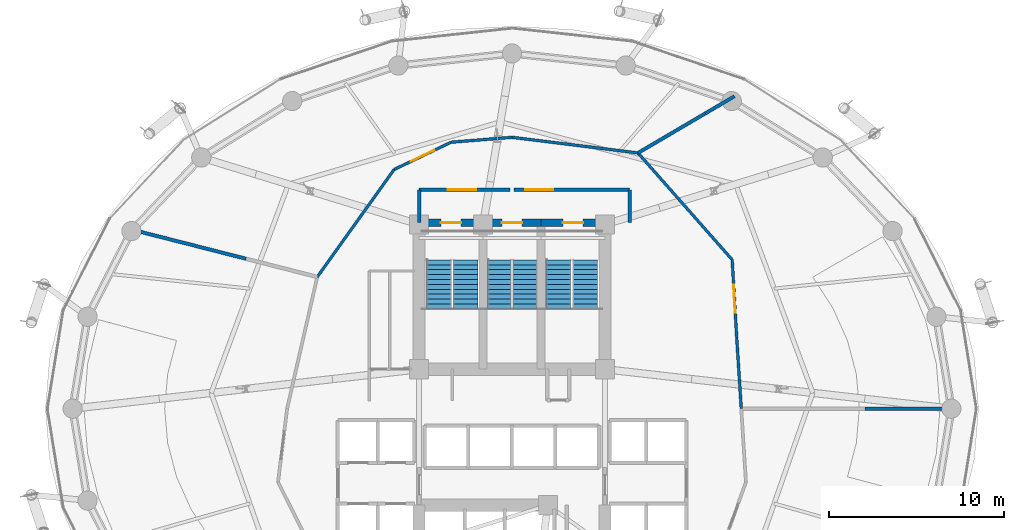
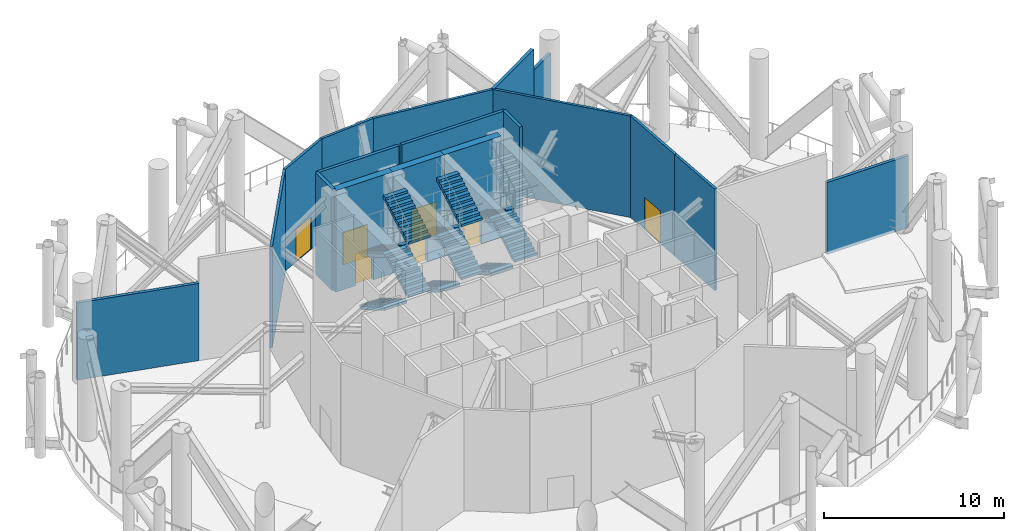
# One storey, part 10 of 19: 18 walls, 11 stair flights, 7 doors, 7 openings, 3 elements without a shape of their own.
"""IFC4 building model written with IfcOpenShell, lengths in metres."""

from ifc_helpers import new_model, si_unit, direction, frame, frame_2d, origin, place, context, subcontext, project, spatial, polyline, rectangle, outline, extrude, material, layer, layer_set, type_object, element, fill, aggregate, save


model = new_model("IFC4")

# Units and contexts
model_context = context("Model", 3, precision=1e-05, world=origin(), true_north=direction((0.0, 1.0)))
body_context = subcontext(model_context, "Body", "Model", "MODEL_VIEW")
ifc_project = project(units=[si_unit("LENGTHUNIT", "METRE"), si_unit("AREAUNIT", "SQUARE_METRE"), si_unit("VOLUMEUNIT", "CUBIC_METRE"), si_unit("PLANEANGLEUNIT", "RADIAN"), si_unit("MASSUNIT", "GRAM", prefix="KILO")], contexts=[model_context])

# Site, building, storey
site_placement = place(None, origin())
site = spatial("IfcSite", under=ifc_project, at=site_placement, CompositionType="ELEMENT")
building_placement = place(site_placement, origin())
building = spatial("IfcBuilding", under=site, at=building_placement, Name="Nuhasar Tower", CompositionType="ELEMENT")
storey_placement = place(building_placement, frame((0.0, 0.0, 106.050048828125)))
storey = spatial("IfcBuildingStorey", under=building, at=storey_placement, Name="L25", CompositionType="ELEMENT", Elevation=106.050048828125)

# Wall, opening, door
ifc_material_1 = material(Name="Concrete C50/60", Category="concrete")
ifc_layer_1 = layer(ifc_material_1, 0.449951171875)
ifc_layer_set_1 = layer_set([ifc_layer_1], Name="Concrete C50/60")
wall_type_1 = type_object("IfcWallType", Name="WL-CORE-450", PredefinedType="SHEAR", material=ifc_layer_set_1)
wall_1_placement = place(storey_placement, frame((37.35009765625, 37.39990234375, 0.0), z_axis=(0.0, 0.0, 1.0), x_axis=(-1.0, 0.0, 0.0)))
wall_1 = element("IfcWall", 1, at=wall_1_placement, inside=storey, type_object=wall_type_1, Name="L25 Stairwell Shear Wall ST01-N", PredefinedType="SHEAR", context=body_context, shape_type="SweptSolid", body=[
    extrude(rectangle(XDim=3.650146484375, YDim=0.449951171875, at=frame_2d((1.8251953125, 0.0))), origin(), (0.0, 0.0, 1.0), 6.8798828125),
])
opening_1_placement = place(wall_1_placement, frame((1.25, 0.0, 0.0)))
opening_1 = element("IfcOpeningElement", 2, at=opening_1_placement, cuts=wall_1, Name="Opening DS-01", PredefinedType="OPENING", context=body_context, shape_type="SweptSolid", body=[
    extrude(rectangle(XDim=1.14990234375, YDim=2.14990234375, at=frame_2d((0.574951171875, 1.074951171875))), frame((0.0, 0.23486328125, 0.0), z_axis=(0.0, -1.0, 0.0), x_axis=(1.0, 0.0, 0.0)), (0.0, 0.0, 1.0), 0.469970703125),
])
ifc_material_2 = material(Name="Steel S355", Category="steel")
door_type_1 = type_object("IfcDoorType", Name="DR-STAIR-FD120-1150", OperationType="NOTDEFINED", PredefinedType="DOOR", material=ifc_material_2)
door_1_placement = place(opening_1_placement, origin())
door_1 = element("IfcDoor", 3, at=door_1_placement, inside=storey, type_object=door_type_1, Name="L25 Exit Stair ST-01 Door", OperationType="SINGLE_SWING_RIGHT", OverallHeight=2.14990234375, OverallWidth=1.14990234375, PredefinedType="DOOR", context=body_context, shape_type="SweptSolid", body=[
    extrude(rectangle(XDim=1.14990234375, YDim=2.14990234375, at=frame_2d((0.574951171875, 1.074951171875))), frame((0.0, 0.02490234375, 0.0), z_axis=(0.0, -1.0, 0.0), x_axis=(1.0, 0.0, 0.0)), (0.0, 0.0, 1.0), 0.050048828125),
])
fill(opening_1, door_1)

wall_2_placement = place(storey_placement, frame((40.64990234375, 37.39990234375, 0.0), z_axis=(0.0, 0.0, 1.0), x_axis=(-1.0, 0.0, 0.0)))
wall_2 = element("IfcWall", 4, at=wall_2_placement, inside=storey, type_object=wall_type_1, Name="L25 Stairwell Shear Wall ST03-N", PredefinedType="SHEAR", context=body_context, shape_type="SweptSolid", body=[
    extrude(rectangle(XDim=3.2998046875, YDim=0.449951171875, at=frame_2d((1.64990234375, 0.0))), origin(), (0.0, 0.0, 1.0), 6.8798828125),
])
opening_2_placement = place(wall_2_placement, frame((1.074951171875, 0.0, 0.0)))
opening_2 = element("IfcOpeningElement", 5, at=opening_2_placement, cuts=wall_2, Name="Opening DS-01", PredefinedType="OPENING", context=body_context, shape_type="SweptSolid", body=[
    extrude(rectangle(XDim=1.14990234375, YDim=2.14990234375, at=frame_2d((0.574951171875, 1.074951171875))), frame((0.0, 0.23486328125, 0.0), z_axis=(0.0, -1.0, 0.0), x_axis=(1.0, 0.0, 0.0)), (0.0, 0.0, 1.0), 0.469970703125),
])
door_2_placement = place(opening_2_placement, origin())
door_2 = element("IfcDoor", 6, at=door_2_placement, inside=storey, type_object=door_type_1, Name="L25 Exit Stair ST-03 Door", OperationType="SINGLE_SWING_RIGHT", OverallHeight=2.14990234375, OverallWidth=1.14990234375, PredefinedType="DOOR", context=body_context, shape_type="SweptSolid", body=[
    extrude(rectangle(XDim=1.14990234375, YDim=2.14990234375, at=frame_2d((0.574951171875, 1.074951171875))), frame((0.0, 0.02490234375, 0.0), z_axis=(0.0, -1.0, 0.0), x_axis=(1.0, 0.0, 0.0)), (0.0, 0.0, 1.0), 0.050048828125),
])
fill(opening_2, door_2)

wall_3_placement = place(storey_placement, frame((44.300048828125, 37.39990234375, 0.0), z_axis=(0.0, 0.0, 1.0), x_axis=(-1.0, 0.0, 0.0)))
wall_3 = element("IfcWall", 7, at=wall_3_placement, inside=storey, type_object=wall_type_1, Name="L25 Stairwell Shear Wall ST02-N", PredefinedType="SHEAR", context=body_context, shape_type="SweptSolid", body=[
    extrude(rectangle(XDim=3.650146484375, YDim=0.449951171875, at=frame_2d((1.8251953125, 0.0))), origin(), (0.0, 0.0, 1.0), 6.8798828125),
])
opening_3_placement = place(wall_3_placement, frame((1.25, 0.0, 0.0)))
opening_3 = element("IfcOpeningElement", 8, at=opening_3_placement, cuts=wall_3, Name="Opening DS-01", PredefinedType="OPENING", context=body_context, shape_type="SweptSolid", body=[
    extrude(rectangle(XDim=1.14990234375, YDim=2.14990234375, at=frame_2d((0.574951171875, 1.074951171875))), frame((0.0, 0.23486328125, 0.0), z_axis=(0.0, -1.0, 0.0), x_axis=(1.0, 0.0, 0.0)), (0.0, 0.0, 1.0), 0.469970703125),
])
door_3_placement = place(opening_3_placement, origin())
door_3 = element("IfcDoor", 9, at=door_3_placement, inside=storey, type_object=door_type_1, Name="L25 Exit Stair ST-02 Door", OperationType="SINGLE_SWING_LEFT", OverallHeight=2.14990234375, OverallWidth=1.14990234375, PredefinedType="DOOR", context=body_context, shape_type="SweptSolid", body=[
    extrude(rectangle(XDim=1.14990234375, YDim=2.14990234375, at=frame_2d((0.574951171875, 1.074951171875))), frame((0.0, 0.02490234375, 0.0), z_axis=(0.0, -1.0, 0.0), x_axis=(1.0, 0.0, 0.0)), (0.0, 0.0, 1.0), 0.050048828125),
])
fill(opening_3, door_3)

# Wall
ifc_material_3 = material(Name="Gypsum Board", Category="gypsum")
ifc_layer_2 = layer(ifc_material_3, 0.159912109375)
ifc_layer_set_2 = layer_set([ifc_layer_2], Name="Gypsum Board")
wall_type_2 = type_object("IfcWallType", Name="WL-CORR-160", PredefinedType="PARTITIONING", material=ifc_layer_set_2)
wall_4_placement = place(storey_placement, frame((52.070068359375, 26.800048828125, 0.0), z_axis=(0.0, 0.0, 1.0), x_axis=(-0.064030047677, 0.997947971086, 0.0)))
element("IfcWall", 10, at=wall_4_placement, inside=storey, type_object=wall_type_2, Name="L25 Interior Partition CORR-00", PredefinedType="PARTITIONING", context=body_context, shape_type="SweptSolid", body=[
    extrude(rectangle(XDim=4.0302734375, YDim=0.159912109375, at=frame_2d((2.01513671875, 0.0))), origin(), (0.0, 0.0, 1.0), 6.8798828125),
])

# Wall, opening, door
wall_5_placement = place(storey_placement, frame((51.552001953125, 35.291015625, 0.0), z_axis=(0.0, 0.0, 1.0), x_axis=(0.058082602913, -0.998311780577, 0.0)))
wall_5 = element("IfcWall", 11, at=wall_5_placement, inside=storey, type_object=wall_type_2, Name="L25 Interior Partition CORR-02", PredefinedType="PARTITIONING", context=body_context, shape_type="SweptSolid", body=[
    extrude(rectangle(XDim=4.4765625, YDim=0.159912109375, at=frame_2d((2.23828125, 0.0))), origin(), (0.0, 0.0, 1.0), 6.8798828125),
])
opening_4_placement = place(wall_5_placement, frame((1.43798828125, 0.0, 0.0)))
opening_4 = element("IfcOpeningElement", 12, at=opening_4_placement, cuts=wall_5, Name="Opening DC-01", PredefinedType="OPENING", context=body_context, shape_type="SweptSolid", body=[
    extrude(rectangle(XDim=1.60009765625, YDim=2.199951171875, at=frame_2d((0.800048828125, 1.10009765625))), frame((0.0, 0.08984375, 0.0), z_axis=(0.0, -1.0, 0.0), x_axis=(1.0, 0.0, 0.0)), (0.0, 0.0, 1.0), 0.179931640625),
])
door_type_2 = type_object("IfcDoorType", Name="DR-CORR-FD60-1600", OperationType="DOUBLE_DOOR_SINGLE_SWING", PredefinedType="DOOR", material=ifc_material_2)
door_4_placement = place(opening_4_placement, origin())
door_4 = element("IfcDoor", 13, at=door_4_placement, inside=storey, type_object=door_type_2, Name="L25 East Refuge Area Door", OperationType="DOUBLE_DOOR_SINGLE_SWING", OverallHeight=2.199951171875, OverallWidth=1.60009765625, PredefinedType="DOOR", context=body_context, shape_type="SweptSolid", body=[
    extrude(rectangle(XDim=1.60009765625, YDim=2.199951171875, at=frame_2d((0.800048828125, 1.10009765625))), frame((0.0, 0.02490234375, 0.0), z_axis=(0.0, -1.0, 0.0), x_axis=(1.0, 0.0, 0.0)), (0.0, 0.0, 1.0), 0.050048828125),
])
fill(opening_4, door_4)

# Walls
wall_6_placement = place(storey_placement, frame((51.552001953125, 35.291015625, 0.0), z_axis=(0.0, 0.0, 1.0), x_axis=(-0.661421630005, 0.750014284772, 0.0)))
element("IfcWall", 14, at=wall_6_placement, inside=storey, type_object=wall_type_2, Name="L25 Interior Partition CORR-04", PredefinedType="PARTITIONING", context=body_context, shape_type="SweptSolid", body=[
    extrude(rectangle(XDim=8.11572265625, YDim=0.159912109375, at=frame_2d((4.057861328125, 0.0))), origin(), (0.0, 0.0, 1.0), 6.8798828125),
])
wall_7_placement = place(storey_placement, frame((46.18408203125, 41.3779296875, 0.0), z_axis=(0.0, 0.0, 1.0), x_axis=(-0.992378204756, 0.12322945559, 0.0)))
element("IfcWall", 15, at=wall_7_placement, inside=storey, type_object=wall_type_2, Name="L25 Interior Partition CORR-08", PredefinedType="PARTITIONING", context=body_context, shape_type="SweptSolid", body=[
    extrude(rectangle(XDim=7.2392578125, YDim=0.159912109375, at=frame_2d((3.61962890625, 0.0))), origin(), (0.0, 0.0, 1.0), 6.8798828125),
])
wall_8_placement = place(storey_placement, frame((39.0, 42.27001953125, 0.0), z_axis=(0.0, 0.0, 1.0), x_axis=(-0.99676721303, -0.080343780277, 0.0)))
element("IfcWall", 16, at=wall_8_placement, inside=storey, type_object=wall_type_2, Name="L25 Interior Partition CORR-12", PredefinedType="PARTITIONING", context=body_context, shape_type="SweptSolid", body=[
    extrude(rectangle(XDim=3.4853515625, YDim=0.159912109375, at=frame_2d((1.74267578125, 0.0))), origin(), (0.0, 0.0, 1.0), 6.8798828125),
])

# Wall, opening, door
wall_9_placement = place(storey_placement, frame((32.281005859375, 40.43603515625, 0.0), z_axis=(0.0, 0.0, 1.0), x_axis=(0.901911315708, 0.43192126435, 0.0)))
wall_9 = element("IfcWall", 17, at=wall_9_placement, inside=storey, type_object=wall_type_2, Name="L25 Interior Partition CORR-14", PredefinedType="PARTITIONING", context=body_context, shape_type="SweptSolid", body=[
    extrude(rectangle(XDim=3.59765625, YDim=0.159912109375, at=frame_2d((1.798828125, 0.0))), origin(), (0.0, 0.0, 1.0), 6.8798828125),
])
opening_5_placement = place(wall_9_placement, frame((1.049072265625, 0.0, 0.0)))
opening_5 = element("IfcOpeningElement", 18, at=opening_5_placement, cuts=wall_9, Name="Opening DP-01", PredefinedType="OPENING", context=body_context, shape_type="SweptSolid", body=[
    extrude(rectangle(XDim=1.5, YDim=2.199951171875, at=frame_2d((0.75, 1.10009765625))), frame((0.0, 0.08984375, 0.0), z_axis=(0.0, -1.0, 0.0), x_axis=(1.0, 0.0, 0.0)), (0.0, 0.0, 1.0), 0.179931640625),
])
door_type_3 = type_object("IfcDoorType", Name="DR-PLANT-FD120-1500", OperationType="DOUBLE_DOOR_SINGLE_SWING", PredefinedType="DOOR", material=ifc_material_2)
door_5_placement = place(opening_5_placement, origin())
door_5 = element("IfcDoor", 19, at=door_5_placement, inside=storey, type_object=door_type_3, Name="L25 North AHU Mechanical Plant Door", OperationType="DOUBLE_DOOR_SINGLE_SWING", OverallHeight=2.199951171875, OverallWidth=1.5, PredefinedType="DOOR", context=body_context, shape_type="SweptSolid", body=[
    extrude(rectangle(XDim=1.5, YDim=2.199951171875, at=frame_2d((0.75, 1.10009765625))), frame((0.0, 0.02490234375, 0.0), z_axis=(0.0, -1.0, 0.0), x_axis=(1.0, 0.0, 0.0)), (0.0, 0.0, 1.0), 0.050048828125),
])
fill(opening_5, door_5)

# Walls
wall_10_placement = place(storey_placement, frame((32.281005859375, 40.43603515625, 0.0), z_axis=(0.0, 0.0, 1.0), x_axis=(-0.581884927471, -0.813271130179, 0.0)))
element("IfcWall", 20, at=wall_10_placement, inside=storey, type_object=wall_type_2, Name="L25 Interior Partition CORR-16", PredefinedType="PARTITIONING", context=body_context, shape_type="SweptSolid", body=[
    extrude(rectangle(XDim=7.532470703125, YDim=0.159912109375, at=frame_2d((3.76611328125, 0.0))), origin(), (0.0, 0.0, 1.0), 6.8798828125),
])
ifc_material_4 = material(Name="Concrete C45/55", Category="concrete")
ifc_layer_3 = layer(ifc_material_4, 0.199951171875)
ifc_layer_set_3 = layer_set([ifc_layer_3], Name="Concrete C45/55")
wall_type_3 = type_object("IfcWallType", Name="WL-LOBBY-200", PredefinedType="SOLIDWALL", material=ifc_layer_set_3)
for number, where, z_axis, x_axis, name in (
    (21, (33.699951171875, 37.39990234375, 0.0), (0.0, 0.0, 1.0), (0.0, 1.0, 0.0), "L25 Interior Partition NSL-W"),
    (22, (45.699951171875, 37.39990234375, 0.0), (0.0, 0.0, 1.0), (0.0, 1.0, 0.0), "L25 Interior Partition NSL-E"),
):
    element("IfcWall", number, at=place(storey_placement, frame(where, z_axis=z_axis, x_axis=x_axis)), inside=storey, type_object=wall_type_3, Name=name, PredefinedType="SOLIDWALL", context=body_context, shape_type="SweptSolid", body=[
        extrude(rectangle(XDim=1.880126953125, YDim=0.199951171875, at=frame_2d((0.93994140625, 0.0))), origin(), (0.0, 0.0, 1.0), 6.8798828125),
    ])

# Wall, opening, door
wall_11_placement = place(storey_placement, frame((38.89990234375, 39.280029296875, 0.0), z_axis=(0.0, 0.0, 1.0), x_axis=(-1.0, 0.0, 0.0)))
wall_11 = element("IfcWall", 23, at=wall_11_placement, inside=storey, type_object=wall_type_3, Name="L25 Interior Partition NSL-N1", PredefinedType="SOLIDWALL", context=body_context, shape_type="SweptSolid", body=[
    extrude(rectangle(XDim=5.199951171875, YDim=0.199951171875, at=frame_2d((2.60009765625, 0.0))), origin(), (0.0, 0.0, 1.0), 6.8798828125),
])
opening_6_placement = place(wall_11_placement, frame((1.949951171875, 0.0, 0.0)))
opening_6 = element("IfcOpeningElement", 24, at=opening_6_placement, cuts=wall_11, Name="Opening DC-01", PredefinedType="OPENING", context=body_context, shape_type="SweptSolid", body=[
    extrude(rectangle(XDim=1.60009765625, YDim=2.199951171875, at=frame_2d((0.800048828125, 1.10009765625))), frame((0.0, 0.10986328125, 0.0), z_axis=(0.0, -1.0, 0.0), x_axis=(1.0, 0.0, 0.0)), (0.0, 0.0, 1.0), 0.219970703125),
])
door_6_placement = place(opening_6_placement, origin())
door_6 = element("IfcDoor", 25, at=door_6_placement, inside=storey, type_object=door_type_2, Name="L25 North Stair Lobby West Door", OperationType="DOUBLE_DOOR_SINGLE_SWING", OverallHeight=2.199951171875, OverallWidth=1.60009765625, PredefinedType="DOOR", context=body_context, shape_type="SweptSolid", body=[
    extrude(rectangle(XDim=1.60009765625, YDim=2.199951171875, at=frame_2d((0.800048828125, 1.10009765625))), frame((0.0, 0.02490234375, 0.0), z_axis=(0.0, -1.0, 0.0), x_axis=(1.0, 0.0, 0.0)), (0.0, 0.0, 1.0), 0.050048828125),
])
fill(opening_6, door_6)

wall_12_placement = place(storey_placement, frame((45.699951171875, 39.280029296875, 0.0), z_axis=(0.0, 0.0, 1.0), x_axis=(-1.0, 0.0, 0.0)))
wall_12 = element("IfcWall", 26, at=wall_12_placement, inside=storey, type_object=wall_type_3, Name="L25 Interior Partition NSL-N2", PredefinedType="SOLIDWALL", context=body_context, shape_type="SweptSolid", body=[
    extrude(rectangle(XDim=6.599853515625, YDim=0.199951171875, at=frame_2d((3.2998046875, 0.0))), origin(), (0.0, 0.0, 1.0), 6.8798828125),
])
opening_7_placement = place(wall_12_placement, frame((4.35009765625, 0.0, 0.0)))
opening_7 = element("IfcOpeningElement", 27, at=opening_7_placement, cuts=wall_12, Name="Opening DC-01", PredefinedType="OPENING", context=body_context, shape_type="SweptSolid", body=[
    extrude(rectangle(XDim=1.60009765625, YDim=2.199951171875, at=frame_2d((0.800048828125, 1.10009765625))), frame((0.0, 0.10986328125, 0.0), z_axis=(0.0, -1.0, 0.0), x_axis=(1.0, 0.0, 0.0)), (0.0, 0.0, 1.0), 0.219970703125),
])
door_7_placement = place(opening_7_placement, origin())
door_7 = element("IfcDoor", 28, at=door_7_placement, inside=storey, type_object=door_type_2, Name="L25 North Stair Lobby East Door", OperationType="DOUBLE_DOOR_SINGLE_SWING", OverallHeight=2.199951171875, OverallWidth=1.60009765625, PredefinedType="DOOR", context=body_context, shape_type="SweptSolid", body=[
    extrude(rectangle(XDim=1.60009765625, YDim=2.199951171875, at=frame_2d((0.800048828125, 1.10009765625))), frame((0.0, 0.02490234375, 0.0), z_axis=(0.0, -1.0, 0.0), x_axis=(1.0, 0.0, 0.0)), (0.0, 0.0, 1.0), 0.050048828125),
])
fill(opening_7, door_7)

# Walls
wall_13_placement = place(storey_placement, frame((59.1220703125, 26.800048828125, 0.0), z_axis=(0.0, 0.0, 1.0), x_axis=(1.0, 0.0, 0.0)))
element("IfcWall", 29, at=wall_13_placement, inside=storey, type_object=wall_type_3, Name="L25 Interior Partition WRAD-00", PredefinedType="SOLIDWALL", context=body_context, shape_type="SweptSolid", body=[
    extrude(rectangle(XDim=5.242919921875, YDim=0.199951171875, at=frame_2d((2.62158203125, 0.0))), origin(), (0.0, 0.0, 1.0), 4.8798828125),
])
wall_14_placement = place(storey_placement, frame((46.18408203125, 41.3779296875, 0.0), z_axis=(0.0, 0.0, 1.0), x_axis=(0.862079385068, 0.506773256833, 0.0)))
element("IfcWall", 30, at=wall_14_placement, inside=storey, type_object=wall_type_3, Name="L25 Interior Partition WRAD-08", PredefinedType="SOLIDWALL", context=body_context, shape_type="SweptSolid", body=[
    extrude(rectangle(XDim=4.451904296875, YDim=0.199951171875, at=frame_2d((2.22607421875, 0.0))), origin(), (0.0, 0.0, 1.0), 6.8798828125),
])
wall_15_placement = place(storey_placement, frame((50.02197265625, 43.634033203125, 0.0), z_axis=(0.0, 0.0, 1.0), x_axis=(0.862175171179, 0.506610278421, 0.0)))
element("IfcWall", 31, at=wall_15_placement, inside=storey, type_object=wall_type_3, Name="L25 Interior Partition WRAD-08", PredefinedType="SOLIDWALL", context=body_context, shape_type="SweptSolid", body=[
    extrude(rectangle(XDim=1.9267578125, YDim=0.199951171875, at=frame_2d((0.96337890625, 0.0))), origin(), (0.0, 0.0, 1.0), 5.429931640625),
])
wall_16_placement = place(storey_placement, frame((23.839111328125, 35.345947265625, 0.0), z_axis=(0.0, 0.0, 1.0), x_axis=(-0.968974231147, 0.247161767619, 0.0)))
element("IfcWall", 32, at=wall_16_placement, inside=storey, type_object=wall_type_3, Name="L25 Interior Partition WRAD-20", PredefinedType="SOLIDWALL", context=body_context, shape_type="SweptSolid", body=[
    extrude(rectangle(XDim=7.024169921875, YDim=0.199951171875, at=frame_2d((3.51220703125, 0.0))), origin(), (0.0, 0.0, 1.0), 5.22998046875),
])

# Stair, stair flights
stair_type_1 = type_object("IfcStairType", Name="STR-ST-01-4F-44R-1636", PredefinedType="HALF_TURN_STAIR", material=ifc_material_4)
stair_1_placement = place(storey_placement, origin())
stair_1 = element("IfcStair", 33, at=stair_1_placement, inside=storey, type_object=stair_type_1, Name="L25 Exit Stair ST-01", PredefinedType="HALF_TURN_STAIR")
stair_flight_type_1 = type_object("IfcStairFlightType", Name="SFL-ST-01-11R-1636", PredefinedType="STRAIGHT", material=ifc_material_4)
stair_flight_1_placement = place(storey_placement, frame((34.830078125, 35.284912109375, 0.0), z_axis=(0.0, 0.0, 1.0), x_axis=(0.0, -1.0, 0.0)))
stair_flight_1 = element("IfcStairFlight", 34, at=stair_flight_1_placement, type_object=stair_flight_type_1, Name="ST-01 flight 1", NumberOfRisers=11, NumberOfTreads=10, PredefinedType="STRAIGHT", RiserHeight=0.163636, TreadLength=0.28, context=body_context, shape_type="SweptSolid", body=[
    extrude(outline(polyline([(0.0, 0.0), (0.0, 0.16357421875), (0.280029296875, 0.16357421875), (0.280029296875, 0.327392578125), (0.56005859375, 0.327392578125), (0.56005859375, 0.490966796875), (0.840087890625, 0.490966796875), (0.840087890625, 0.654541015625), (1.1201171875, 0.654541015625), (1.1201171875, 0.818115234375), (1.39990234375, 0.818115234375), (1.39990234375, 0.98193359375), (1.679931640625, 0.98193359375), (1.679931640625, 1.1455078125), (1.9599609375, 1.1455078125), (1.9599609375, 1.30908203125), (2.239990234375, 1.30908203125), (2.239990234375, 1.47265625), (2.52001953125, 1.47265625), (2.52001953125, 1.636474609375), (2.800048828125, 1.636474609375), (2.800048828125, 1.800048828125), (2.800048828125, 1.451171875), (0.31689453125, 0.0), (0.0, 0.0)])), frame((0.0, 0.7099609375, 0.0), z_axis=(0.0, -1.0, 0.0), x_axis=(1.0, 0.0, 0.0)), (0.0, 0.0, 1.0), 1.419921875),
])
stair_flight_2_placement = place(storey_placement, frame((36.35009765625, 32.485107421875, 1.800048828125), z_axis=(0.0, 0.0, 1.0), x_axis=(0.0, 1.0, 0.0)))
stair_flight_2 = element("IfcStairFlight", 35, at=stair_flight_2_placement, type_object=stair_flight_type_1, Name="ST-01 flight 2", NumberOfRisers=11, NumberOfTreads=10, PredefinedType="STRAIGHT", RiserHeight=0.163636, TreadLength=0.28, context=body_context, shape_type="SweptSolid", body=[
    extrude(outline(polyline([(0.0, 0.0), (0.0, 0.16357421875), (0.280029296875, 0.16357421875), (0.280029296875, 0.327392578125), (0.56005859375, 0.327392578125), (0.56005859375, 0.490966796875), (0.840087890625, 0.490966796875), (0.840087890625, 0.654541015625), (1.1201171875, 0.654541015625), (1.1201171875, 0.818115234375), (1.39990234375, 0.818115234375), (1.39990234375, 0.98193359375), (1.679931640625, 0.98193359375), (1.679931640625, 1.1455078125), (1.9599609375, 1.1455078125), (1.9599609375, 1.30908203125), (2.239990234375, 1.30908203125), (2.239990234375, 1.47265625), (2.52001953125, 1.47265625), (2.52001953125, 1.636474609375), (2.800048828125, 1.636474609375), (2.800048828125, 1.800048828125), (2.800048828125, 1.451171875), (0.31689453125, 0.0), (0.0, 0.0)])), frame((0.0, 0.7099609375, 0.0), z_axis=(0.0, -1.0, 0.0), x_axis=(1.0, 0.0, 0.0)), (0.0, 0.0, 1.0), 1.419921875),
])
stair_flight_3_placement = place(storey_placement, frame((34.830078125, 35.284912109375, 3.599853515625), z_axis=(0.0, 0.0, 1.0), x_axis=(0.0, -1.0, 0.0)))
stair_flight_3 = element("IfcStairFlight", 36, at=stair_flight_3_placement, type_object=stair_flight_type_1, Name="ST-01 flight 3", NumberOfRisers=11, NumberOfTreads=10, PredefinedType="STRAIGHT", RiserHeight=0.163636, TreadLength=0.28, context=body_context, shape_type="SweptSolid", body=[
    extrude(outline(polyline([(0.0, 0.0), (0.0, 0.16357421875), (0.280029296875, 0.16357421875), (0.280029296875, 0.327392578125), (0.56005859375, 0.327392578125), (0.56005859375, 0.490966796875), (0.840087890625, 0.490966796875), (0.840087890625, 0.654541015625), (1.1201171875, 0.654541015625), (1.1201171875, 0.818115234375), (1.39990234375, 0.818115234375), (1.39990234375, 0.98193359375), (1.679931640625, 0.98193359375), (1.679931640625, 1.1455078125), (1.9599609375, 1.1455078125), (1.9599609375, 1.30908203125), (2.239990234375, 1.30908203125), (2.239990234375, 1.47265625), (2.52001953125, 1.47265625), (2.52001953125, 1.636474609375), (2.800048828125, 1.636474609375), (2.800048828125, 1.800048828125), (2.800048828125, 1.451171875), (0.31689453125, 0.0), (0.0, 0.0)])), frame((0.0, 0.7099609375, 0.0), z_axis=(0.0, -1.0, 0.0), x_axis=(1.0, 0.0, 0.0)), (0.0, 0.0, 1.0), 1.419921875),
])
stair_flight_4_placement = place(storey_placement, frame((36.35009765625, 32.485107421875, 5.39990234375), z_axis=(0.0, 0.0, 1.0), x_axis=(0.0, 1.0, 0.0)))
stair_flight_4 = element("IfcStairFlight", 37, at=stair_flight_4_placement, type_object=stair_flight_type_1, Name="ST-01 flight 4", NumberOfRisers=11, NumberOfTreads=10, PredefinedType="STRAIGHT", RiserHeight=0.163636, TreadLength=0.28, context=body_context, shape_type="SweptSolid", body=[
    extrude(outline(polyline([(0.0, 0.0), (0.0, 0.16357421875), (0.280029296875, 0.16357421875), (0.280029296875, 0.327392578125), (0.56005859375, 0.327392578125), (0.56005859375, 0.490966796875), (0.840087890625, 0.490966796875), (0.840087890625, 0.654541015625), (1.1201171875, 0.654541015625), (1.1201171875, 0.818115234375), (1.39990234375, 0.818115234375), (1.39990234375, 0.98193359375), (1.679931640625, 0.98193359375), (1.679931640625, 1.1455078125), (1.9599609375, 1.1455078125), (1.9599609375, 1.30908203125), (2.239990234375, 1.30908203125), (2.239990234375, 1.47265625), (2.52001953125, 1.47265625), (2.52001953125, 1.636474609375), (2.800048828125, 1.636474609375), (2.800048828125, 1.800048828125), (2.800048828125, 1.451171875), (0.31689453125, 0.0), (0.0, 0.0)])), frame((0.0, 0.7099609375, 0.0), z_axis=(0.0, -1.0, 0.0), x_axis=(1.0, 0.0, 0.0)), (0.0, 0.0, 1.0), 1.419921875),
])
aggregate(stair_1, [stair_flight_1, stair_flight_2, stair_flight_3, stair_flight_4])

stair_type_2 = type_object("IfcStairType", Name="STR-ST-02-4F-44R-1636", PredefinedType="HALF_TURN_STAIR", material=ifc_material_4)
stair_2_placement = place(storey_placement, origin())
stair_2 = element("IfcStair", 38, at=stair_2_placement, inside=storey, type_object=stair_type_2, Name="L25 Exit Stair ST-02", PredefinedType="HALF_TURN_STAIR")
stair_flight_type_2 = type_object("IfcStairFlightType", Name="SFL-ST-02-11R-1636", PredefinedType="STRAIGHT", material=ifc_material_4)
stair_flight_5_placement = place(storey_placement, frame((41.64990234375, 35.284912109375, 0.0), z_axis=(0.0, 0.0, 1.0), x_axis=(0.0, -1.0, 0.0)))
stair_flight_5 = element("IfcStairFlight", 39, at=stair_flight_5_placement, type_object=stair_flight_type_2, Name="ST-02 flight 1", NumberOfRisers=11, NumberOfTreads=10, PredefinedType="STRAIGHT", RiserHeight=0.163636, TreadLength=0.28, context=body_context, shape_type="SweptSolid", body=[
    extrude(outline(polyline([(0.0, 0.0), (0.0, 0.16357421875), (0.280029296875, 0.16357421875), (0.280029296875, 0.327392578125), (0.56005859375, 0.327392578125), (0.56005859375, 0.490966796875), (0.840087890625, 0.490966796875), (0.840087890625, 0.654541015625), (1.1201171875, 0.654541015625), (1.1201171875, 0.818115234375), (1.39990234375, 0.818115234375), (1.39990234375, 0.98193359375), (1.679931640625, 0.98193359375), (1.679931640625, 1.1455078125), (1.9599609375, 1.1455078125), (1.9599609375, 1.30908203125), (2.239990234375, 1.30908203125), (2.239990234375, 1.47265625), (2.52001953125, 1.47265625), (2.52001953125, 1.636474609375), (2.800048828125, 1.636474609375), (2.800048828125, 1.800048828125), (2.800048828125, 1.451171875), (0.31689453125, 0.0), (0.0, 0.0)])), frame((0.0, 0.7099609375, 0.0), z_axis=(0.0, -1.0, 0.0), x_axis=(1.0, 0.0, 0.0)), (0.0, 0.0, 1.0), 1.419921875),
])
stair_flight_6_placement = place(storey_placement, frame((43.169921875, 32.485107421875, 1.800048828125), z_axis=(0.0, 0.0, 1.0), x_axis=(0.0, 1.0, 0.0)))
stair_flight_6 = element("IfcStairFlight", 40, at=stair_flight_6_placement, type_object=stair_flight_type_2, Name="ST-02 flight 2", NumberOfRisers=11, NumberOfTreads=10, PredefinedType="STRAIGHT", RiserHeight=0.163636, TreadLength=0.28, context=body_context, shape_type="SweptSolid", body=[
    extrude(outline(polyline([(0.0, 0.0), (0.0, 0.16357421875), (0.280029296875, 0.16357421875), (0.280029296875, 0.327392578125), (0.56005859375, 0.327392578125), (0.56005859375, 0.490966796875), (0.840087890625, 0.490966796875), (0.840087890625, 0.654541015625), (1.1201171875, 0.654541015625), (1.1201171875, 0.818115234375), (1.39990234375, 0.818115234375), (1.39990234375, 0.98193359375), (1.679931640625, 0.98193359375), (1.679931640625, 1.1455078125), (1.9599609375, 1.1455078125), (1.9599609375, 1.30908203125), (2.239990234375, 1.30908203125), (2.239990234375, 1.47265625), (2.52001953125, 1.47265625), (2.52001953125, 1.636474609375), (2.800048828125, 1.636474609375), (2.800048828125, 1.800048828125), (2.800048828125, 1.451171875), (0.31689453125, 0.0), (0.0, 0.0)])), frame((0.0, 0.7099609375, 0.0), z_axis=(0.0, -1.0, 0.0), x_axis=(1.0, 0.0, 0.0)), (0.0, 0.0, 1.0), 1.419921875),
])
stair_flight_7_placement = place(storey_placement, frame((41.64990234375, 35.284912109375, 3.599853515625), z_axis=(0.0, 0.0, 1.0), x_axis=(0.0, -1.0, 0.0)))
stair_flight_7 = element("IfcStairFlight", 41, at=stair_flight_7_placement, type_object=stair_flight_type_2, Name="ST-02 flight 3", NumberOfRisers=11, NumberOfTreads=10, PredefinedType="STRAIGHT", RiserHeight=0.163636, TreadLength=0.28, context=body_context, shape_type="SweptSolid", body=[
    extrude(outline(polyline([(0.0, 0.0), (0.0, 0.16357421875), (0.280029296875, 0.16357421875), (0.280029296875, 0.327392578125), (0.56005859375, 0.327392578125), (0.56005859375, 0.490966796875), (0.840087890625, 0.490966796875), (0.840087890625, 0.654541015625), (1.1201171875, 0.654541015625), (1.1201171875, 0.818115234375), (1.39990234375, 0.818115234375), (1.39990234375, 0.98193359375), (1.679931640625, 0.98193359375), (1.679931640625, 1.1455078125), (1.9599609375, 1.1455078125), (1.9599609375, 1.30908203125), (2.239990234375, 1.30908203125), (2.239990234375, 1.47265625), (2.52001953125, 1.47265625), (2.52001953125, 1.636474609375), (2.800048828125, 1.636474609375), (2.800048828125, 1.800048828125), (2.800048828125, 1.451171875), (0.31689453125, 0.0), (0.0, 0.0)])), frame((0.0, 0.7099609375, 0.0), z_axis=(0.0, -1.0, 0.0), x_axis=(1.0, 0.0, 0.0)), (0.0, 0.0, 1.0), 1.419921875),
])
aggregate(stair_2, [stair_flight_5, stair_flight_6, stair_flight_7])

stair_type_3 = type_object("IfcStairType", Name="STR-ST-03-4F-44R-1636", PredefinedType="HALF_TURN_STAIR", material=ifc_material_4)
stair_3_placement = place(storey_placement, origin())
stair_3 = element("IfcStair", 42, at=stair_3_placement, inside=storey, type_object=stair_type_3, Name="L25 Exit Stair ST-03", PredefinedType="HALF_TURN_STAIR")
stair_flight_type_3 = type_object("IfcStairFlightType", Name="SFL-ST-03-11R-1636", PredefinedType="STRAIGHT", material=ifc_material_4)
stair_flight_8_placement = place(storey_placement, frame((38.280029296875, 35.284912109375, 0.0), z_axis=(0.0, 0.0, 1.0), x_axis=(0.0, -1.0, 0.0)))
stair_flight_8 = element("IfcStairFlight", 43, at=stair_flight_8_placement, type_object=stair_flight_type_3, Name="ST-03 flight 1", NumberOfRisers=11, NumberOfTreads=10, PredefinedType="STRAIGHT", RiserHeight=0.163636, TreadLength=0.28, context=body_context, shape_type="SweptSolid", body=[
    extrude(outline(polyline([(0.0, 0.0), (0.0, 0.16357421875), (0.280029296875, 0.16357421875), (0.280029296875, 0.327392578125), (0.56005859375, 0.327392578125), (0.56005859375, 0.490966796875), (0.840087890625, 0.490966796875), (0.840087890625, 0.654541015625), (1.1201171875, 0.654541015625), (1.1201171875, 0.818115234375), (1.39990234375, 0.818115234375), (1.39990234375, 0.98193359375), (1.679931640625, 0.98193359375), (1.679931640625, 1.1455078125), (1.9599609375, 1.1455078125), (1.9599609375, 1.30908203125), (2.239990234375, 1.30908203125), (2.239990234375, 1.47265625), (2.52001953125, 1.47265625), (2.52001953125, 1.636474609375), (2.800048828125, 1.636474609375), (2.800048828125, 1.800048828125), (2.800048828125, 1.451171875), (0.31689453125, 0.0), (0.0, 0.0)])), frame((0.0, 0.669921875, 0.0), z_axis=(0.0, -1.0, 0.0), x_axis=(1.0, 0.0, 0.0)), (0.0, 0.0, 1.0), 1.340087890625),
])
stair_flight_9_placement = place(storey_placement, frame((39.719970703125, 32.485107421875, 1.800048828125), z_axis=(0.0, 0.0, 1.0), x_axis=(0.0, 1.0, 0.0)))
stair_flight_9 = element("IfcStairFlight", 44, at=stair_flight_9_placement, type_object=stair_flight_type_3, Name="ST-03 flight 2", NumberOfRisers=11, NumberOfTreads=10, PredefinedType="STRAIGHT", RiserHeight=0.163636, TreadLength=0.28, context=body_context, shape_type="SweptSolid", body=[
    extrude(outline(polyline([(0.0, 0.0), (0.0, 0.16357421875), (0.280029296875, 0.16357421875), (0.280029296875, 0.327392578125), (0.56005859375, 0.327392578125), (0.56005859375, 0.490966796875), (0.840087890625, 0.490966796875), (0.840087890625, 0.654541015625), (1.1201171875, 0.654541015625), (1.1201171875, 0.818115234375), (1.39990234375, 0.818115234375), (1.39990234375, 0.98193359375), (1.679931640625, 0.98193359375), (1.679931640625, 1.1455078125), (1.9599609375, 1.1455078125), (1.9599609375, 1.30908203125), (2.239990234375, 1.30908203125), (2.239990234375, 1.47265625), (2.52001953125, 1.47265625), (2.52001953125, 1.636474609375), (2.800048828125, 1.636474609375), (2.800048828125, 1.800048828125), (2.800048828125, 1.451171875), (0.31689453125, 0.0), (0.0, 0.0)])), frame((0.0, 0.669921875, 0.0), z_axis=(0.0, -1.0, 0.0), x_axis=(1.0, 0.0, 0.0)), (0.0, 0.0, 1.0), 1.340087890625),
])
stair_flight_10_placement = place(storey_placement, frame((38.280029296875, 35.284912109375, 3.599853515625), z_axis=(0.0, 0.0, 1.0), x_axis=(0.0, -1.0, 0.0)))
stair_flight_10 = element("IfcStairFlight", 45, at=stair_flight_10_placement, type_object=stair_flight_type_3, Name="ST-03 flight 3", NumberOfRisers=11, NumberOfTreads=10, PredefinedType="STRAIGHT", RiserHeight=0.163636, TreadLength=0.28, context=body_context, shape_type="SweptSolid", body=[
    extrude(outline(polyline([(0.0, 0.0), (0.0, 0.16357421875), (0.280029296875, 0.16357421875), (0.280029296875, 0.327392578125), (0.56005859375, 0.327392578125), (0.56005859375, 0.490966796875), (0.840087890625, 0.490966796875), (0.840087890625, 0.654541015625), (1.1201171875, 0.654541015625), (1.1201171875, 0.818115234375), (1.39990234375, 0.818115234375), (1.39990234375, 0.98193359375), (1.679931640625, 0.98193359375), (1.679931640625, 1.1455078125), (1.9599609375, 1.1455078125), (1.9599609375, 1.30908203125), (2.239990234375, 1.30908203125), (2.239990234375, 1.47265625), (2.52001953125, 1.47265625), (2.52001953125, 1.636474609375), (2.800048828125, 1.636474609375), (2.800048828125, 1.800048828125), (2.800048828125, 1.451171875), (0.31689453125, 0.0), (0.0, 0.0)])), frame((0.0, 0.669921875, 0.0), z_axis=(0.0, -1.0, 0.0), x_axis=(1.0, 0.0, 0.0)), (0.0, 0.0, 1.0), 1.340087890625),
])
stair_flight_11_placement = place(storey_placement, frame((39.719970703125, 32.485107421875, 5.39990234375), z_axis=(0.0, 0.0, 1.0), x_axis=(0.0, 1.0, 0.0)))
stair_flight_11 = element("IfcStairFlight", 46, at=stair_flight_11_placement, type_object=stair_flight_type_3, Name="ST-03 flight 4", NumberOfRisers=11, NumberOfTreads=10, PredefinedType="STRAIGHT", RiserHeight=0.163636, TreadLength=0.28, context=body_context, shape_type="SweptSolid", body=[
    extrude(outline(polyline([(0.0, 0.0), (0.0, 0.16357421875), (0.280029296875, 0.16357421875), (0.280029296875, 0.327392578125), (0.56005859375, 0.327392578125), (0.56005859375, 0.490966796875), (0.840087890625, 0.490966796875), (0.840087890625, 0.654541015625), (1.1201171875, 0.654541015625), (1.1201171875, 0.818115234375), (1.39990234375, 0.818115234375), (1.39990234375, 0.98193359375), (1.679931640625, 0.98193359375), (1.679931640625, 1.1455078125), (1.9599609375, 1.1455078125), (1.9599609375, 1.30908203125), (2.239990234375, 1.30908203125), (2.239990234375, 1.47265625), (2.52001953125, 1.47265625), (2.52001953125, 1.636474609375), (2.800048828125, 1.636474609375), (2.800048828125, 1.800048828125), (2.800048828125, 1.451171875), (0.31689453125, 0.0), (0.0, 0.0)])), frame((0.0, 0.669921875, 0.0), z_axis=(0.0, -1.0, 0.0), x_axis=(1.0, 0.0, 0.0)), (0.0, 0.0, 1.0), 1.340087890625),
])
aggregate(stair_3, [stair_flight_8, stair_flight_9, stair_flight_10, stair_flight_11])

save(model, "model.ifc")
